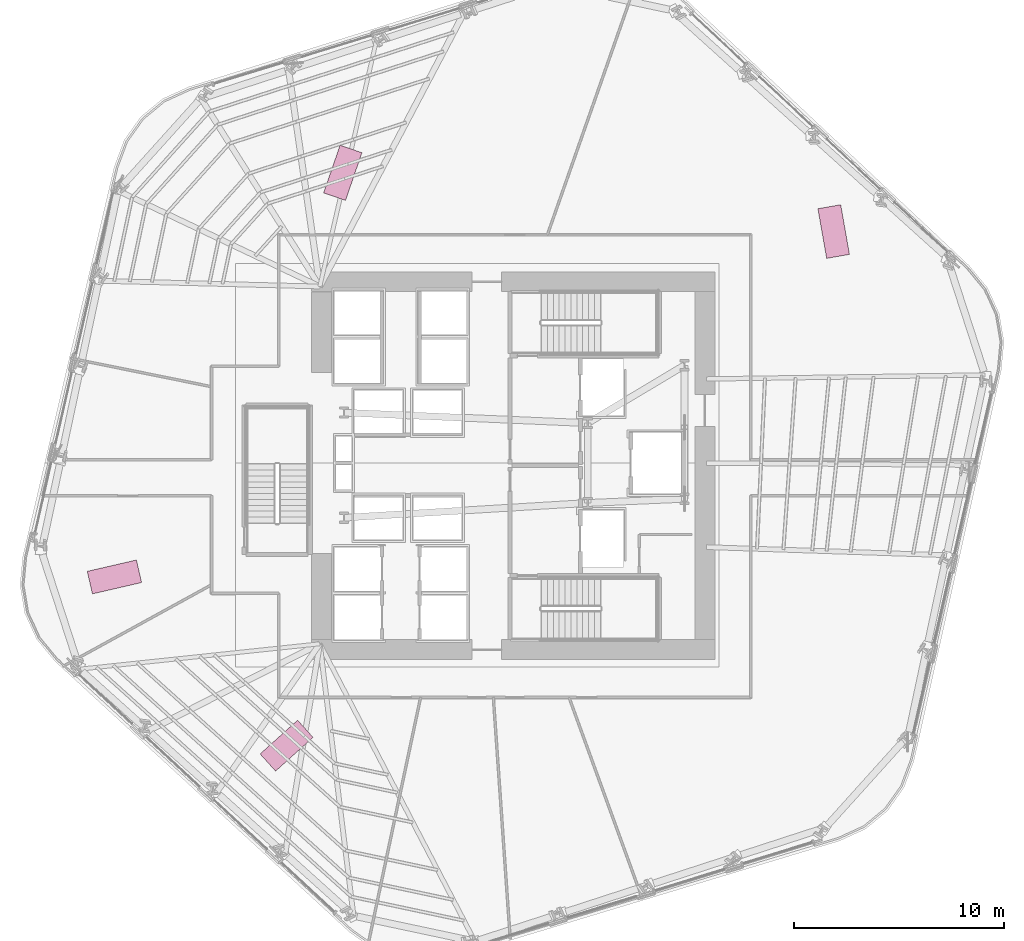
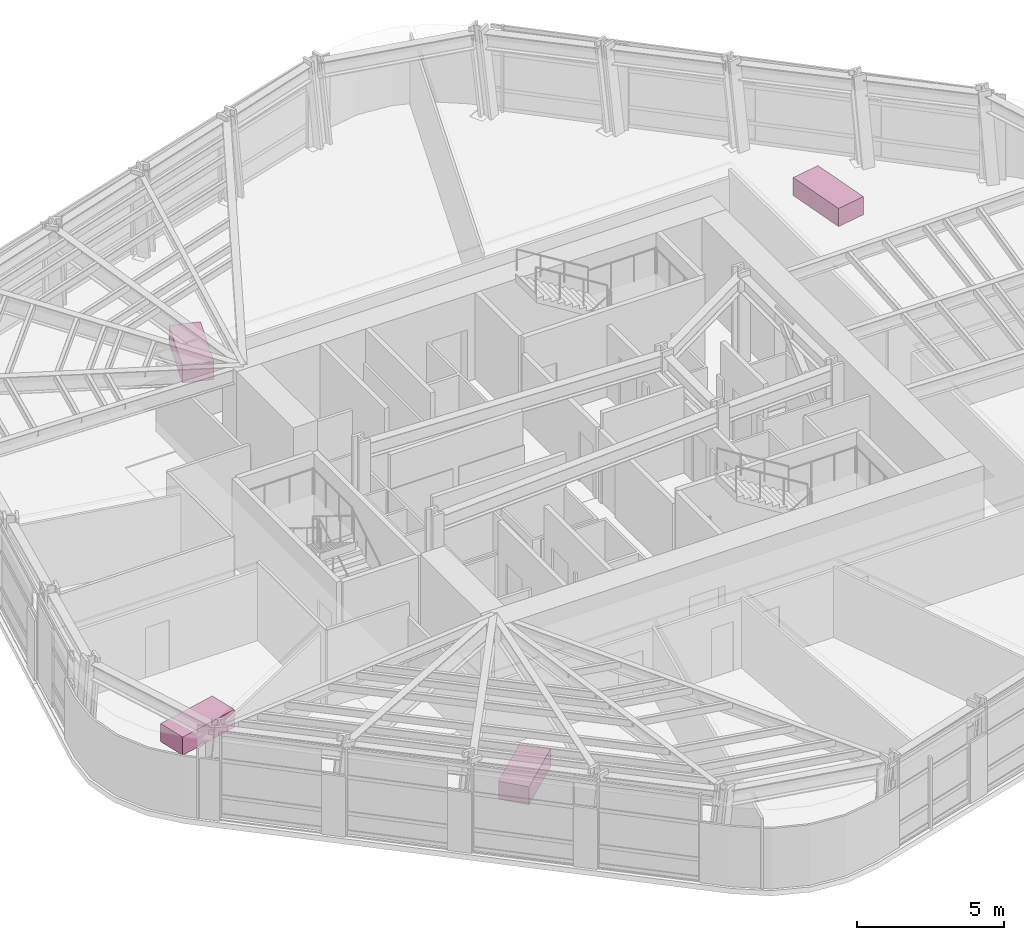
# One storey, part 16 of 16: 4 furniture elements.
"""IFC4 building model written with IfcOpenShell, lengths in metres."""

from ifc_helpers import new_model, si_unit, direction, frame, origin, origin_2d, place, context, subcontext, project, spatial, rectangle, extrude, material, type_object, element, save


model = new_model("IFC4")

# Units and contexts
model_context = context("Model", 3, precision=1e-05, world=origin(), true_north=direction((0.0, 1.0)))
body_context = subcontext(model_context, "Body", "Model", "MODEL_VIEW")
ifc_project = project(units=[si_unit("LENGTHUNIT", "METRE"), si_unit("AREAUNIT", "SQUARE_METRE"), si_unit("VOLUMEUNIT", "CUBIC_METRE"), si_unit("PLANEANGLEUNIT", "RADIAN"), si_unit("MASSUNIT", "GRAM", prefix="KILO")], contexts=[model_context])

# Site, building, storey
site_placement = place(None, origin())
site = spatial("IfcSite", under=ifc_project, at=site_placement, CompositionType="ELEMENT")
building_placement = place(site_placement, origin())
building = spatial("IfcBuilding", under=site, at=building_placement, Name="Valkerne Bourse Tower", CompositionType="ELEMENT")
storey_placement = place(building_placement, frame((0.0, 0.0, 97.199951171875)))
storey = spatial("IfcBuildingStorey", under=building, at=storey_placement, Name="L24", CompositionType="ELEMENT", Elevation=97.199951171875)

# Furniture
ifc_material = material(Name="Architectural White Oak Timber", Category="wood")
furniture_type = type_object("IfcFurnitureType", Name="FURN-DESK-2400", AssemblyPlace="NOTDEFINED", PredefinedType="DESK", material=ifc_material)
for number, where, z_axis, x_axis, name in (
    (1, (27.8291015625, 21.5810546875, 0.045166015625), (0.0, 0.0, 1.0), (0.974370064785, 0.224951054344, 0.0), "L24 Suite Worktable 05"),
    (2, (36.01904296875, 13.552978515625, 0.045166015625), (0.0, 0.0, 1.0), (0.743144825477, 0.669130606359, 0.0), "L24 Suite Worktable 06"),
    (3, (38.694091796875, 40.80908203125, 0.045166015625), (0.0, 0.0, 1.0), (0.325568154457, 0.945518575599, 0.0), "L24 Suite Worktable 07"),
    (4, (62.049072265625, 38.013916015625, 0.045166015625), (0.0, 0.0, 1.0), (-0.173648177667, 0.984807753012, 0.0), "L24 Suite Worktable 08"),
):
    element("IfcFurniture", number, at=place(storey_placement, frame(where, z_axis=z_axis, x_axis=x_axis)), inside=storey, type_object=furniture_type, Name=name, PredefinedType="DESK", context=body_context, shape_type="SweptSolid", body=[
        extrude(rectangle(XDim=2.39990234375, YDim=1.10009765625, at=origin_2d()), origin(), (0.0, 0.0, 1.0), 0.75),
    ])

save(model, "model.ifc")
